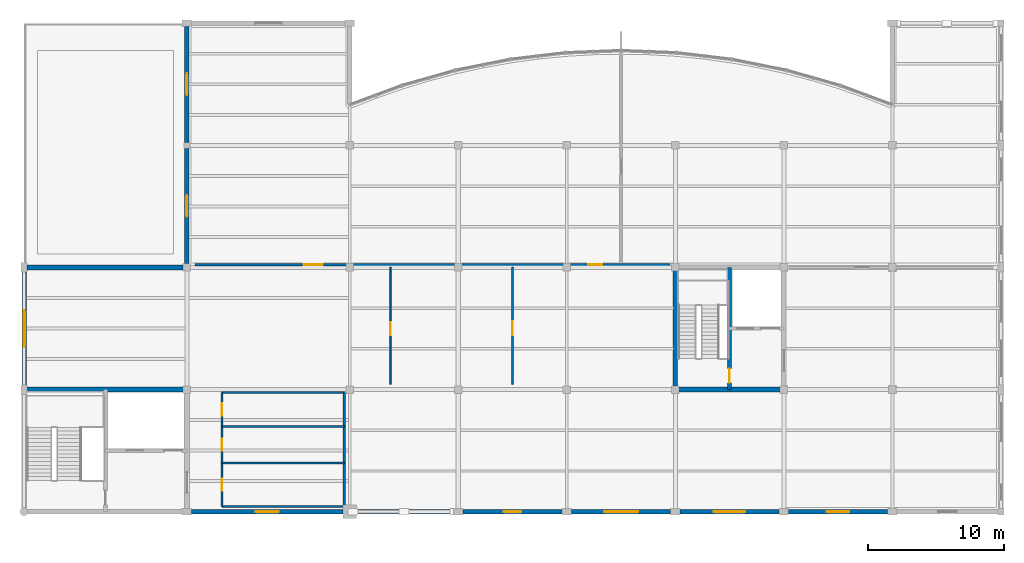
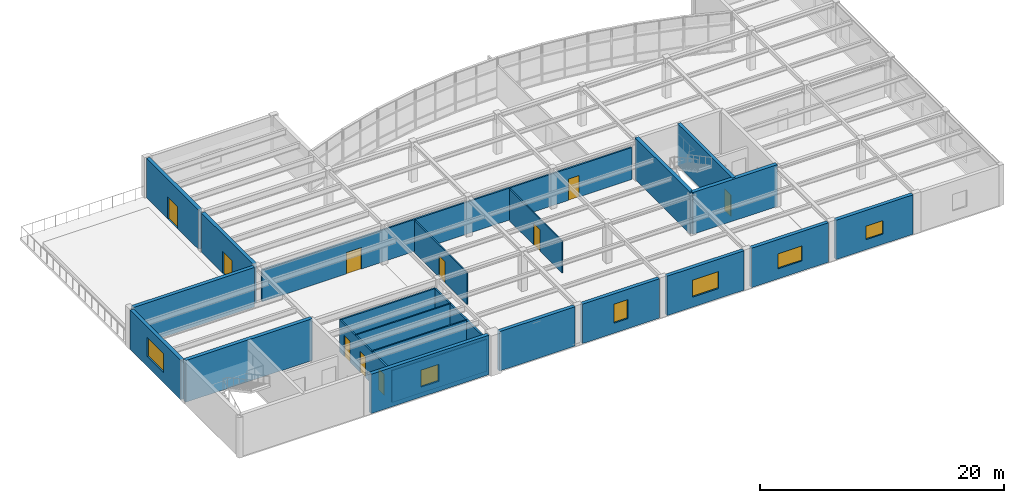
# One storey, part 7 of 12: 23 walls, 10 doors, 6 windows, 16 openings.
"""IFC4 building model written with IfcOpenShell, lengths in metres."""

from ifc_helpers import new_model, si_unit, direction, frame, frame_2d, origin, place, context, subcontext, project, spatial, rectangle, extrude, material, layer, layer_set, type_object, element, fill, save


model = new_model("IFC4")

# Units and contexts
model_context = context("Model", 3, precision=1e-05, world=origin(), true_north=direction((0.0, 1.0)))
body_context = subcontext(model_context, "Body", "Model", "MODEL_VIEW")
ifc_project = project(units=[si_unit("LENGTHUNIT", "METRE"), si_unit("AREAUNIT", "SQUARE_METRE"), si_unit("VOLUMEUNIT", "CUBIC_METRE"), si_unit("PLANEANGLEUNIT", "RADIAN"), si_unit("MASSUNIT", "GRAM", prefix="KILO")], contexts=[model_context])

# Site, building, storey
site_placement = place(None, origin())
site = spatial("IfcSite", under=ifc_project, at=site_placement, CompositionType="ELEMENT")
building_placement = place(site_placement, origin())
building = spatial("IfcBuilding", under=site, at=building_placement, Name="Keelwater Ferry Terminal", CompositionType="ELEMENT")
storey_placement = place(building_placement, frame((0.0, 0.0, 19.5)))
storey = spatial("IfcBuildingStorey", under=building, at=storey_placement, Name="L04", CompositionType="ELEMENT", Elevation=19.5)

# Wall, opening, window
ifc_material_1 = material(Name="Precast concrete C40/50", Category="concrete")
ifc_layer_1 = layer(ifc_material_1, 0.340087890625)
ifc_layer_set_1 = layer_set([ifc_layer_1], Name="Precast concrete C40/50")
wall_type_1 = type_object("IfcWallType", Name="EW-LM340 External Solid Wall 340", PredefinedType="SOLIDWALL", material=ifc_layer_set_1)
wall_1_placement = place(storey_placement, frame((131.5, 90.0, 0.0), z_axis=(0.0, 0.0, 1.0), x_axis=(-1.0, 0.0, 0.0)))
wall_1 = element("IfcWall", 1, at=wall_1_placement, inside=storey, type_object=wall_type_1, Name="External Wall WL-L04-0127", PredefinedType="SOLIDWALL", context=body_context, shape_type="SweptSolid", body=[
    extrude(rectangle(XDim=11.14990234375, YDim=0.340087890625, at=frame_2d((5.574951171875, 0.0))), origin(), (0.0, 0.0, 1.0), 3.93994140625),
])
opening_1_placement = place(wall_1_placement, frame((4.72509765625, 0.0, 1.0)))
opening_1 = element("IfcOpeningElement", 2, at=opening_1_placement, cuts=wall_1, Name="Opening WN-25", PredefinedType="OPENING", context=body_context, shape_type="SweptSolid", body=[
    extrude(rectangle(XDim=1.699951171875, YDim=1.699951171875, at=frame_2d((0.85009765625, 0.85009765625))), frame((0.0, 0.179931640625, 0.0), z_axis=(0.0, -1.0, 0.0), x_axis=(1.0, 0.0, 0.0)), (0.0, 0.0, 1.0), 0.360107421875),
])
ifc_material_2 = material(Name="Triple low-E glass in thermally broken aluminium frame", Category="aluminium")
window_type_1 = type_object("IfcWindowType", Name="WN-25 Exterior Window 1700x1700", PartitioningType="SINGLE_PANEL", PredefinedType="WINDOW", material=ifc_material_2)
window_1_placement = place(opening_1_placement, origin())
window_1 = element("IfcWindow", 3, at=window_1_placement, inside=storey, type_object=window_type_1, Name="Window WN-L04-0092", OverallHeight=1.699951171875, OverallWidth=1.699951171875, PartitioningType="SINGLE_PANEL", PredefinedType="WINDOW", context=body_context, shape_type="SweptSolid", body=[
    extrude(rectangle(XDim=1.699951171875, YDim=1.699951171875, at=frame_2d((0.85009765625, 0.85009765625))), frame((0.0, 0.030029296875, 0.0), z_axis=(0.0, -1.0, 0.0), x_axis=(1.0, 0.0, 0.0)), (0.0, 0.0, 1.0), 0.06005859375),
])
fill(opening_1, window_1)

# Wall
wall_2_placement = place(storey_placement, frame((139.64990234375, 90.0, 0.0), z_axis=(0.0, 0.0, 1.0), x_axis=(-1.0, 0.0, 0.0)))
element("IfcWall", 4, at=wall_2_placement, inside=storey, type_object=wall_type_1, Name="External Wall WL-L04-0128", PredefinedType="SOLIDWALL", context=body_context, shape_type="SweptSolid", body=[
    extrude(rectangle(XDim=7.14990234375, YDim=0.340087890625, at=frame_2d((3.574951171875, 0.0))), origin(), (0.0, 0.0, 1.0), 3.93994140625),
])

# Wall, opening, window
wall_3_placement = place(storey_placement, frame((147.64990234375, 90.0, 0.0), z_axis=(0.0, 0.0, 1.0), x_axis=(-1.0, 0.0, 0.0)))
wall_3 = element("IfcWall", 5, at=wall_3_placement, inside=storey, type_object=wall_type_1, Name="External Wall WL-L04-0129", PredefinedType="SOLIDWALL", context=body_context, shape_type="SweptSolid", body=[
    extrude(rectangle(XDim=7.2998046875, YDim=0.340087890625, at=frame_2d((3.64990234375, 0.0))), origin(), (0.0, 0.0, 1.0), 3.93994140625),
])
opening_2_placement = place(wall_3_placement, frame((3.0, 0.0, 1.0)))
opening_2 = element("IfcOpeningElement", 6, at=opening_2_placement, cuts=wall_3, Name="Opening WN-26", PredefinedType="OPENING", context=body_context, shape_type="SweptSolid", body=[
    extrude(rectangle(XDim=1.300048828125, YDim=1.89990234375, at=frame_2d((0.64990234375, 0.949951171875))), frame((0.0, 0.179931640625, 0.0), z_axis=(0.0, -1.0, 0.0), x_axis=(1.0, 0.0, 0.0)), (0.0, 0.0, 1.0), 0.360107421875),
])
ifc_material_3 = material(Name="Triple low-E glass in thermally broken aluminium frame", Category="aluminium")
window_type_2 = type_object("IfcWindowType", Name="WN-26 Exterior Window 1300x1900", PartitioningType="SINGLE_PANEL", PredefinedType="WINDOW", material=ifc_material_3)
window_2_placement = place(opening_2_placement, origin())
window_2 = element("IfcWindow", 7, at=window_2_placement, inside=storey, type_object=window_type_2, Name="Window WN-L04-0093", OverallHeight=1.89990234375, OverallWidth=1.300048828125, PartitioningType="SINGLE_PANEL", PredefinedType="WINDOW", context=body_context, shape_type="SweptSolid", body=[
    extrude(rectangle(XDim=1.300048828125, YDim=1.89990234375, at=frame_2d((0.64990234375, 0.949951171875))), frame((0.0, 0.030029296875, 0.0), z_axis=(0.0, -1.0, 0.0), x_axis=(1.0, 0.0, 0.0)), (0.0, 0.0, 1.0), 0.06005859375),
])
fill(opening_2, window_2)

wall_4_placement = place(storey_placement, frame((155.64990234375, 90.0, 0.0), z_axis=(0.0, 0.0, 1.0), x_axis=(-1.0, 0.0, 0.0)))
wall_4 = element("IfcWall", 8, at=wall_4_placement, inside=storey, type_object=wall_type_1, Name="External Wall WL-L04-0130", PredefinedType="SOLIDWALL", context=body_context, shape_type="SweptSolid", body=[
    extrude(rectangle(XDim=7.2998046875, YDim=0.340087890625, at=frame_2d((3.64990234375, 0.0))), origin(), (0.0, 0.0, 1.0), 3.93994140625),
])
opening_3_placement = place(wall_4_placement, frame((2.39990234375, 0.0, 1.0)))
opening_3 = element("IfcOpeningElement", 9, at=opening_3_placement, cuts=wall_4, Name="Opening WN-27", PredefinedType="OPENING", context=body_context, shape_type="SweptSolid", body=[
    extrude(rectangle(XDim=2.5, YDim=1.699951171875, at=frame_2d((1.25, 0.85009765625))), frame((0.0, 0.179931640625, 0.0), z_axis=(0.0, -1.0, 0.0), x_axis=(1.0, 0.0, 0.0)), (0.0, 0.0, 1.0), 0.360107421875),
])
ifc_material_4 = material(Name="Triple low-E glass in thermally broken aluminium frame", Category="aluminium")
window_type_3 = type_object("IfcWindowType", Name="WN-27 Exterior Window 2500x1700", PartitioningType="SINGLE_PANEL", PredefinedType="WINDOW", material=ifc_material_4)
window_3_placement = place(opening_3_placement, origin())
window_3 = element("IfcWindow", 10, at=window_3_placement, inside=storey, type_object=window_type_3, Name="Window WN-L04-0094", OverallHeight=1.699951171875, OverallWidth=2.5, PartitioningType="SINGLE_PANEL", PredefinedType="WINDOW", context=body_context, shape_type="SweptSolid", body=[
    extrude(rectangle(XDim=2.5, YDim=1.699951171875, at=frame_2d((1.25, 0.85009765625))), frame((0.0, 0.030029296875, 0.0), z_axis=(0.0, -1.0, 0.0), x_axis=(1.0, 0.0, 0.0)), (0.0, 0.0, 1.0), 0.06005859375),
])
fill(opening_3, window_3)

wall_5_placement = place(storey_placement, frame((163.64990234375, 90.0, 0.0), z_axis=(0.0, 0.0, 1.0), x_axis=(-1.0, 0.0, 0.0)))
wall_5 = element("IfcWall", 11, at=wall_5_placement, inside=storey, type_object=wall_type_1, Name="External Wall WL-L04-0131", PredefinedType="SOLIDWALL", context=body_context, shape_type="SweptSolid", body=[
    extrude(rectangle(XDim=7.2998046875, YDim=0.340087890625, at=frame_2d((3.64990234375, 0.0))), origin(), (0.0, 0.0, 1.0), 3.93994140625),
])
opening_4_placement = place(wall_5_placement, frame((2.5, 0.0, 1.0)))
opening_4 = element("IfcOpeningElement", 12, at=opening_4_placement, cuts=wall_5, Name="Opening WN-28", PredefinedType="OPENING", context=body_context, shape_type="SweptSolid", body=[
    extrude(rectangle(XDim=2.300048828125, YDim=1.5, at=frame_2d((1.14990234375, 0.75))), frame((0.0, 0.179931640625, 0.0), z_axis=(0.0, -1.0, 0.0), x_axis=(1.0, 0.0, 0.0)), (0.0, 0.0, 1.0), 0.360107421875),
])
ifc_material_5 = material(Name="Triple low-E glass in thermally broken aluminium frame", Category="aluminium")
window_type_4 = type_object("IfcWindowType", Name="WN-28 Exterior Window 2300x1500", PartitioningType="SINGLE_PANEL", PredefinedType="WINDOW", material=ifc_material_5)
window_4_placement = place(opening_4_placement, origin())
window_4 = element("IfcWindow", 13, at=window_4_placement, inside=storey, type_object=window_type_4, Name="Window WN-L04-0095", OverallHeight=1.5, OverallWidth=2.300048828125, PartitioningType="SINGLE_PANEL", PredefinedType="WINDOW", context=body_context, shape_type="SweptSolid", body=[
    extrude(rectangle(XDim=2.300048828125, YDim=1.5, at=frame_2d((1.14990234375, 0.75))), frame((0.0, 0.030029296875, 0.0), z_axis=(0.0, -1.0, 0.0), x_axis=(1.0, 0.0, 0.0)), (0.0, 0.0, 1.0), 0.06005859375),
])
fill(opening_4, window_4)

wall_6_placement = place(storey_placement, frame((171.64990234375, 90.0, 0.0), z_axis=(0.0, 0.0, 1.0), x_axis=(-1.0, 0.0, 0.0)))
wall_6 = element("IfcWall", 14, at=wall_6_placement, inside=storey, type_object=wall_type_1, Name="External Wall WL-L04-0132", PredefinedType="SOLIDWALL", context=body_context, shape_type="SweptSolid", body=[
    extrude(rectangle(XDim=7.2998046875, YDim=0.340087890625, at=frame_2d((3.64990234375, 0.0))), origin(), (0.0, 0.0, 1.0), 3.93994140625),
])
opening_5_placement = place(wall_6_placement, frame((2.824951171875, 0.0, 1.0)))
opening_5 = element("IfcOpeningElement", 15, at=opening_5_placement, cuts=wall_6, Name="Opening WN-29", PredefinedType="OPENING", context=body_context, shape_type="SweptSolid", body=[
    extrude(rectangle(XDim=1.64990234375, YDim=1.35009765625, at=frame_2d((0.824951171875, 0.675048828125))), frame((0.0, 0.179931640625, 0.0), z_axis=(0.0, -1.0, 0.0), x_axis=(1.0, 0.0, 0.0)), (0.0, 0.0, 1.0), 0.360107421875),
])
ifc_material_6 = material(Name="Triple low-E glass in thermally broken aluminium frame", Category="aluminium")
window_type_5 = type_object("IfcWindowType", Name="WN-29 Exterior Window 1650x1350", PartitioningType="SINGLE_PANEL", PredefinedType="WINDOW", material=ifc_material_6)
window_5_placement = place(opening_5_placement, origin())
window_5 = element("IfcWindow", 16, at=window_5_placement, inside=storey, type_object=window_type_5, Name="Window WN-L04-0096", OverallHeight=1.35009765625, OverallWidth=1.64990234375, PartitioningType="SINGLE_PANEL", PredefinedType="WINDOW", context=body_context, shape_type="SweptSolid", body=[
    extrude(rectangle(XDim=1.64990234375, YDim=1.35009765625, at=frame_2d((0.824951171875, 0.675048828125))), frame((0.0, 0.030029296875, 0.0), z_axis=(0.0, -1.0, 0.0), x_axis=(1.0, 0.0, 0.0)), (0.0, 0.0, 1.0), 0.06005859375),
])
fill(opening_5, window_5)

wall_7_placement = place(storey_placement, frame((108.0, 107.64990234375, 0.0), z_axis=(0.0, 0.0, 1.0), x_axis=(0.0, -1.0, 0.0)))
wall_7 = element("IfcWall", 17, at=wall_7_placement, inside=storey, type_object=wall_type_1, Name="External Wall WL-L04-0134", PredefinedType="SOLIDWALL", context=body_context, shape_type="SweptSolid", body=[
    extrude(rectangle(XDim=8.2998046875, YDim=0.340087890625, at=frame_2d((4.14990234375, 0.0))), origin(), (0.0, 0.0, 1.0), 3.93994140625),
])
opening_6_placement = place(wall_7_placement, frame((2.800048828125, 0.0, 1.0)))
opening_6 = element("IfcOpeningElement", 18, at=opening_6_placement, cuts=wall_7, Name="Opening WN-31", PredefinedType="OPENING", context=body_context, shape_type="SweptSolid", body=[
    extrude(rectangle(XDim=2.699951171875, YDim=1.89990234375, at=frame_2d((1.35009765625, 0.949951171875))), frame((0.0, 0.179931640625, 0.0), z_axis=(0.0, -1.0, 0.0), x_axis=(1.0, 0.0, 0.0)), (0.0, 0.0, 1.0), 0.360107421875),
])
ifc_material_7 = material(Name="Triple low-E glass in thermally broken aluminium frame", Category="aluminium")
window_type_6 = type_object("IfcWindowType", Name="WN-31 Exterior Window 2700x1900", PartitioningType="SINGLE_PANEL", PredefinedType="WINDOW", material=ifc_material_7)
window_6_placement = place(opening_6_placement, origin())
window_6 = element("IfcWindow", 19, at=window_6_placement, inside=storey, type_object=window_type_6, Name="Window WN-L04-0098", OverallHeight=1.89990234375, OverallWidth=2.699951171875, PartitioningType="SINGLE_PANEL", PredefinedType="WINDOW", context=body_context, shape_type="SweptSolid", body=[
    extrude(rectangle(XDim=2.699951171875, YDim=1.89990234375, at=frame_2d((1.35009765625, 0.949951171875))), frame((0.0, 0.030029296875, 0.0), z_axis=(0.0, -1.0, 0.0), x_axis=(1.0, 0.0, 0.0)), (0.0, 0.0, 1.0), 0.06005859375),
])
fill(opening_6, window_6)

# Wall, opening, door
wall_8_placement = place(storey_placement, frame((120.0, 116.77490234375, 0.0), z_axis=(0.0, 0.0, 1.0), x_axis=(0.0, -1.0, 0.0)))
wall_8 = element("IfcWall", 20, at=wall_8_placement, inside=storey, type_object=wall_type_1, Name="External Wall WL-L04-0135", PredefinedType="SOLIDWALL", context=body_context, shape_type="SweptSolid", body=[
    extrude(rectangle(XDim=8.5, YDim=0.340087890625, at=frame_2d((4.25, 0.0))), origin(), (0.0, 0.0, 1.0), 3.93994140625),
])
opening_7_placement = place(wall_8_placement, frame((3.449951171875, 0.0, 0.0)))
opening_7 = element("IfcOpeningElement", 21, at=opening_7_placement, cuts=wall_8, Name="Opening TD-10", PredefinedType="OPENING", context=body_context, shape_type="SweptSolid", body=[
    extrude(rectangle(XDim=1.60009765625, YDim=2.199951171875, at=frame_2d((0.800048828125, 1.10009765625))), frame((0.0, 0.179931640625, 0.0), z_axis=(0.0, -1.0, 0.0), x_axis=(1.0, 0.0, 0.0)), (0.0, 0.0, 1.0), 0.360107421875),
])
ifc_material_8 = material(Name="Anodised aluminium and laminated safety glass", Category="aluminium")
door_type_1 = type_object("IfcDoorType", Name="TD-T2 Pedestrian Door 1600x2200", OperationType="DOUBLE_DOOR_SINGLE_SWING", PredefinedType="DOOR", material=ifc_material_8)
door_1_placement = place(opening_7_placement, origin())
door_1 = element("IfcDoor", 22, at=door_1_placement, inside=storey, type_object=door_type_1, Name="Door TD-10", OperationType="DOUBLE_DOOR_SINGLE_SWING", OverallHeight=2.199951171875, OverallWidth=1.60009765625, PredefinedType="DOOR", context=body_context, shape_type="SweptSolid", body=[
    extrude(rectangle(XDim=1.60009765625, YDim=2.199951171875, at=frame_2d((0.800048828125, 1.10009765625))), frame((0.0, 0.02490234375, 0.0), z_axis=(0.0, -1.0, 0.0), x_axis=(1.0, 0.0, 0.0)), (0.0, 0.0, 1.0), 0.050048828125),
])
fill(opening_7, door_1)

wall_9_placement = place(storey_placement, frame((120.0, 125.77490234375, 0.0), z_axis=(0.0, 0.0, 1.0), x_axis=(0.0, -1.0, 0.0)))
wall_9 = element("IfcWall", 23, at=wall_9_placement, inside=storey, type_object=wall_type_1, Name="External Wall WL-L04-0136", PredefinedType="SOLIDWALL", context=body_context, shape_type="SweptSolid", body=[
    extrude(rectangle(XDim=8.5498046875, YDim=0.340087890625, at=frame_2d((4.27490234375, 0.0))), origin(), (0.0, 0.0, 1.0), 3.93994140625),
])
opening_8_placement = place(wall_9_placement, frame((3.47509765625, 0.0, 0.0)))
opening_8 = element("IfcOpeningElement", 24, at=opening_8_placement, cuts=wall_9, Name="Opening TD-11", PredefinedType="OPENING", context=body_context, shape_type="SweptSolid", body=[
    extrude(rectangle(XDim=1.60009765625, YDim=2.199951171875, at=frame_2d((0.800048828125, 1.10009765625))), frame((0.0, 0.179931640625, 0.0), z_axis=(0.0, -1.0, 0.0), x_axis=(1.0, 0.0, 0.0)), (0.0, 0.0, 1.0), 0.360107421875),
])
door_2_placement = place(opening_8_placement, origin())
door_2 = element("IfcDoor", 25, at=door_2_placement, inside=storey, type_object=door_type_1, Name="Door TD-11", OperationType="DOUBLE_DOOR_SINGLE_SWING", OverallHeight=2.199951171875, OverallWidth=1.60009765625, PredefinedType="DOOR", context=body_context, shape_type="SweptSolid", body=[
    extrude(rectangle(XDim=1.60009765625, YDim=2.199951171875, at=frame_2d((0.800048828125, 1.10009765625))), frame((0.0, 0.02490234375, 0.0), z_axis=(0.0, -1.0, 0.0), x_axis=(1.0, 0.0, 0.0)), (0.0, 0.0, 1.0), 0.050048828125),
])
fill(opening_8, door_2)

# Walls
wall_10_placement = place(storey_placement, frame((108.22509765625, 108.0, 0.0), z_axis=(0.0, 0.0, 1.0), x_axis=(1.0, 0.0, 0.0)))
element("IfcWall", 26, at=wall_10_placement, inside=storey, type_object=wall_type_1, Name="External Wall WL-L04-0137", PredefinedType="SOLIDWALL", context=body_context, shape_type="SweptSolid", body=[
    extrude(rectangle(XDim=11.5, YDim=0.340087890625, at=frame_2d((5.75, 0.0))), origin(), (0.0, 0.0, 1.0), 3.93994140625),
])
ifc_material_9 = material(Name="Gypsum board on acoustic steel stud", Category="steel")
ifc_layer_2 = layer(ifc_material_9, 0.125)
ifc_layer_set_2 = layer_set([ifc_layer_2], Name="Gypsum board on acoustic steel stud")
wall_type_2 = type_object("IfcWallType", Name="PT-125 Partition Wall 125", PredefinedType="PARTITIONING", material=ifc_layer_set_2)
for number, where, z_axis, x_axis, name in (
    (27, (122.60009765625, 93.592041015625, 0.0), (0.0, 0.0, 1.0), (1.0, 0.0, 0.0), "Interior Wall WL-INT-L04-0194"),
    (28, (122.60009765625, 96.280029296875, 0.0), (0.0, 0.0, 1.0), (1.0, 0.0, 0.0), "Interior Wall WL-INT-L04-0195"),
):
    element("IfcWall", number, at=place(storey_placement, frame(where, z_axis=z_axis, x_axis=x_axis)), inside=storey, type_object=wall_type_2, Name=name, PredefinedType="PARTITIONING", context=body_context, shape_type="SweptSolid", body=[
        extrude(rectangle(XDim=9.0, YDim=0.125, at=frame_2d((4.5, 0.0))), origin(), (0.0, 0.0, 1.0), 3.199951171875),
    ])

# Wall, opening, door
wall_11_placement = place(storey_placement, frame((135.0, 99.39990234375, 0.0), z_axis=(0.0, 0.0, 1.0), x_axis=(0.0, 1.0, 0.0)))
wall_11 = element("IfcWall", 29, at=wall_11_placement, inside=storey, type_object=wall_type_2, Name="Interior Wall WL-INT-L04-0269", PredefinedType="PARTITIONING", context=body_context, shape_type="SweptSolid", body=[
    extrude(rectangle(XDim=8.60009765625, YDim=0.125, at=frame_2d((4.300048828125, 0.0))), origin(), (0.0, 0.0, 1.0), 3.199951171875),
])
opening_9_placement = place(wall_11_placement, frame((3.60009765625, 0.0, 0.0)))
opening_9 = element("IfcOpeningElement", 30, at=opening_9_placement, cuts=wall_11, Name="Opening DR-051", PredefinedType="OPENING", context=body_context, shape_type="SweptSolid", body=[
    extrude(rectangle(XDim=0.949951171875, YDim=2.10009765625, at=frame_2d((0.47509765625, 1.050048828125))), frame((0.0, 0.072509765625, 0.0), z_axis=(0.0, -1.0, 0.0), x_axis=(1.0, 0.0, 0.0)), (0.0, 0.0, 1.0), 0.14501953125),
])
ifc_material_10 = material(Name="Acoustic oak and fire-rated steel frame door", Category="steel")
door_type_2 = type_object("IfcDoorType", Name="ID-08 Pedestrian Door 950x2100", OperationType="NOTDEFINED", PredefinedType="DOOR", material=ifc_material_10)
door_3_placement = place(opening_9_placement, origin())
door_3 = element("IfcDoor", 31, at=door_3_placement, inside=storey, type_object=door_type_2, Name="Door DR-051", OperationType="SINGLE_SWING_RIGHT", OverallHeight=2.10009765625, OverallWidth=0.949951171875, PredefinedType="DOOR", context=body_context, shape_type="SweptSolid", body=[
    extrude(rectangle(XDim=0.949951171875, YDim=2.10009765625, at=frame_2d((0.47509765625, 1.050048828125))), frame((0.0, 0.02490234375, 0.0), z_axis=(0.0, -1.0, 0.0), x_axis=(1.0, 0.0, 0.0)), (0.0, 0.0, 1.0), 0.050048828125),
])
fill(opening_9, door_3)

wall_12_placement = place(storey_placement, frame((144.0, 99.39990234375, 0.0), z_axis=(0.0, 0.0, 1.0), x_axis=(0.0, 1.0, 0.0)))
wall_12 = element("IfcWall", 32, at=wall_12_placement, inside=storey, type_object=wall_type_2, Name="Interior Wall WL-INT-L04-0270", PredefinedType="PARTITIONING", context=body_context, shape_type="SweptSolid", body=[
    extrude(rectangle(XDim=8.60009765625, YDim=0.125, at=frame_2d((4.300048828125, 0.0))), origin(), (0.0, 0.0, 1.0), 3.199951171875),
])
opening_10_placement = place(wall_12_placement, frame((3.60009765625, 0.0, 0.0)))
opening_10 = element("IfcOpeningElement", 33, at=opening_10_placement, cuts=wall_12, Name="Opening DR-052", PredefinedType="OPENING", context=body_context, shape_type="SweptSolid", body=[
    extrude(rectangle(XDim=1.050048828125, YDim=2.14990234375, at=frame_2d((0.52490234375, 1.074951171875))), frame((0.0, 0.072509765625, 0.0), z_axis=(0.0, -1.0, 0.0), x_axis=(1.0, 0.0, 0.0)), (0.0, 0.0, 1.0), 0.14501953125),
])
ifc_material_11 = material(Name="Acoustic oak and fire-rated steel frame door", Category="steel")
door_type_3 = type_object("IfcDoorType", Name="ID-06 Pedestrian Door 1050x2150", OperationType="NOTDEFINED", PredefinedType="DOOR", material=ifc_material_11)
door_4_placement = place(opening_10_placement, origin())
door_4 = element("IfcDoor", 34, at=door_4_placement, inside=storey, type_object=door_type_3, Name="Door DR-052", OperationType="SINGLE_SWING_LEFT", OverallHeight=2.14990234375, OverallWidth=1.050048828125, PredefinedType="DOOR", context=body_context, shape_type="SweptSolid", body=[
    extrude(rectangle(XDim=1.050048828125, YDim=2.14990234375, at=frame_2d((0.52490234375, 1.074951171875))), frame((0.0, 0.02490234375, 0.0), z_axis=(0.0, -1.0, 0.0), x_axis=(1.0, 0.0, 0.0)), (0.0, 0.0, 1.0), 0.050048828125),
])
fill(opening_10, door_4)

# Wall, openings, doors
ifc_material_12 = material(Name="Gypsum board on acoustic steel stud", Category="steel")
ifc_layer_3 = layer(ifc_material_12, 0.14990234375)
ifc_layer_set_3 = layer_set([ifc_layer_3], Name="Gypsum board on acoustic steel stud")
wall_type_3 = type_object("IfcWallType", Name="PT-150 Partition Wall 150", PredefinedType="PARTITIONING", material=ifc_layer_set_3)
wall_13_placement = place(storey_placement, frame((122.60009765625, 90.39990234375, 0.0), z_axis=(0.0, 0.0, 1.0), x_axis=(0.0, 1.0, 0.0)))
wall_13 = element("IfcWall", 35, at=wall_13_placement, inside=storey, type_object=wall_type_3, Name="Interior Wall WL-INT-L04-0190", PredefinedType="PARTITIONING", context=body_context, shape_type="SweptSolid", body=[
    extrude(rectangle(XDim=8.400146484375, YDim=0.14990234375, at=frame_2d((4.2001953125, 0.0))), origin(), (0.0, 0.0, 1.0), 3.199951171875),
])
opening_11_placement = place(wall_13_placement, frame((1.14599609375, 0.0, 0.0)))
opening_11 = element("IfcOpeningElement", 36, at=opening_11_placement, cuts=wall_13, Name="Opening WD-022", PredefinedType="OPENING", context=body_context, shape_type="SweptSolid", body=[
    extrude(rectangle(XDim=0.89990234375, YDim=2.10009765625, at=frame_2d((0.449951171875, 1.050048828125))), frame((0.0, 0.0849609375, 0.0), z_axis=(0.0, -1.0, 0.0), x_axis=(1.0, 0.0, 0.0)), (0.0, 0.0, 1.0), 0.169921875),
])
opening_12_placement = place(wall_13_placement, frame((4.0859375, 0.0, 0.0)))
opening_12 = element("IfcOpeningElement", 37, at=opening_12_placement, cuts=wall_13, Name="Opening WD-023", PredefinedType="OPENING", context=body_context, shape_type="SweptSolid", body=[
    extrude(rectangle(XDim=0.89990234375, YDim=2.10009765625, at=frame_2d((0.449951171875, 1.050048828125))), frame((0.0, 0.0849609375, 0.0), z_axis=(0.0, -1.0, 0.0), x_axis=(1.0, 0.0, 0.0)), (0.0, 0.0, 1.0), 0.169921875),
])
opening_13_placement = place(wall_13_placement, frame((6.679931640625, 0.0, 0.0)))
opening_13 = element("IfcOpeningElement", 38, at=opening_13_placement, cuts=wall_13, Name="Opening WD-024", PredefinedType="OPENING", context=body_context, shape_type="SweptSolid", body=[
    extrude(rectangle(XDim=0.919921875, YDim=2.10009765625, at=frame_2d((0.4599609375, 1.050048828125))), frame((0.0, 0.0849609375, 0.0), z_axis=(0.0, -1.0, 0.0), x_axis=(1.0, 0.0, 0.0)), (0.0, 0.0, 1.0), 0.169921875),
])
ifc_material_13 = material(Name="Acoustic oak and fire-rated steel frame door", Category="steel")
door_type_4 = type_object("IfcDoorType", Name="ID-09 Pedestrian Door 920x2100", OperationType="NOTDEFINED", PredefinedType="DOOR", material=ifc_material_13)
door_5_placement = place(opening_13_placement, origin())
door_5 = element("IfcDoor", 39, at=door_5_placement, inside=storey, type_object=door_type_4, Name="Door WD-024", OperationType="SINGLE_SWING_RIGHT", OverallHeight=2.10009765625, OverallWidth=0.919921875, PredefinedType="DOOR", context=body_context, shape_type="SweptSolid", body=[
    extrude(rectangle(XDim=0.919921875, YDim=2.10009765625, at=frame_2d((0.4599609375, 1.050048828125))), frame((0.0, 0.02490234375, 0.0), z_axis=(0.0, -1.0, 0.0), x_axis=(1.0, 0.0, 0.0)), (0.0, 0.0, 1.0), 0.050048828125),
])
fill(opening_13, door_5)
ifc_material_14 = material(Name="Acoustic oak and fire-rated steel frame door", Category="steel")
door_type_5 = type_object("IfcDoorType", Name="ID-10 Pedestrian Door 900x2100", OperationType="NOTDEFINED", PredefinedType="DOOR", material=ifc_material_14)
door_6_placement = place(opening_11_placement, origin())
door_6 = element("IfcDoor", 40, at=door_6_placement, inside=storey, type_object=door_type_5, Name="Door WD-022", OperationType="SINGLE_SWING_RIGHT", OverallHeight=2.10009765625, OverallWidth=0.89990234375, PredefinedType="DOOR", context=body_context, shape_type="SweptSolid", body=[
    extrude(rectangle(XDim=0.89990234375, YDim=2.10009765625, at=frame_2d((0.449951171875, 1.050048828125))), frame((0.0, 0.02490234375, 0.0), z_axis=(0.0, -1.0, 0.0), x_axis=(1.0, 0.0, 0.0)), (0.0, 0.0, 1.0), 0.050048828125),
])
fill(opening_11, door_6)
door_7_placement = place(opening_12_placement, origin())
door_7 = element("IfcDoor", 41, at=door_7_placement, inside=storey, type_object=door_type_5, Name="Door WD-023", OperationType="SINGLE_SWING_LEFT", OverallHeight=2.10009765625, OverallWidth=0.89990234375, PredefinedType="DOOR", context=body_context, shape_type="SweptSolid", body=[
    extrude(rectangle(XDim=0.89990234375, YDim=2.10009765625, at=frame_2d((0.449951171875, 1.050048828125))), frame((0.0, 0.02490234375, 0.0), z_axis=(0.0, -1.0, 0.0), x_axis=(1.0, 0.0, 0.0)), (0.0, 0.0, 1.0), 0.050048828125),
])
fill(opening_12, door_7)

# Walls
wall_14_placement = place(storey_placement, frame((131.60009765625, 90.39990234375, 0.0), z_axis=(0.0, 0.0, 1.0), x_axis=(0.0, 1.0, 0.0)))
element("IfcWall", 42, at=wall_14_placement, inside=storey, type_object=wall_type_3, Name="Interior Wall WL-INT-L04-0191", PredefinedType="PARTITIONING", context=body_context, shape_type="SweptSolid", body=[
    extrude(rectangle(XDim=8.400146484375, YDim=0.14990234375, at=frame_2d((4.2001953125, 0.0))), origin(), (0.0, 0.0, 1.0), 3.199951171875),
])
for number, where, z_axis, x_axis, name in (
    (43, (122.60009765625, 98.800048828125, 0.0), (0.0, 0.0, 1.0), (1.0, 0.0, 0.0), "Interior Wall WL-INT-L04-0192"),
    (44, (122.60009765625, 90.39990234375, 0.0), (0.0, 0.0, 1.0), (1.0, 0.0, 0.0), "Interior Wall WL-INT-L04-0193"),
):
    element("IfcWall", number, at=place(storey_placement, frame(where, z_axis=z_axis, x_axis=x_axis)), inside=storey, type_object=wall_type_3, Name=name, PredefinedType="PARTITIONING", context=body_context, shape_type="SweptSolid", body=[
        extrude(rectangle(XDim=9.0, YDim=0.14990234375, at=frame_2d((4.5, 0.0))), origin(), (0.0, 0.0, 1.0), 3.199951171875),
    ])

# Wall, openings, doors
wall_15_placement = place(storey_placement, frame((120.60009765625, 108.199951171875, 0.0), z_axis=(0.0, 0.0, 1.0), x_axis=(1.0, 0.0, 0.0)))
wall_15 = element("IfcWall", 45, at=wall_15_placement, inside=storey, type_object=wall_type_3, Name="Interior Wall WL-INT-L04-0268", PredefinedType="PARTITIONING", context=body_context, shape_type="SweptSolid", body=[
    extrude(rectangle(XDim=35.0, YDim=0.14990234375, at=frame_2d((17.5, 0.0))), origin(), (0.0, 0.0, 1.0), 3.199951171875),
])
opening_14_placement = place(wall_15_placement, frame((8.0, 0.0, 0.0)))
opening_14 = element("IfcOpeningElement", 46, at=opening_14_placement, cuts=wall_15, Name="Opening DR-049", PredefinedType="OPENING", context=body_context, shape_type="SweptSolid", body=[
    extrude(rectangle(XDim=1.39990234375, YDim=2.14990234375, at=frame_2d((0.699951171875, 1.074951171875))), frame((0.0, 0.0849609375, 0.0), z_axis=(0.0, -1.0, 0.0), x_axis=(1.0, 0.0, 0.0)), (0.0, 0.0, 1.0), 0.169921875),
])
opening_15_placement = place(wall_15_placement, frame((29.0, 0.0, 0.0)))
opening_15 = element("IfcOpeningElement", 47, at=opening_15_placement, cuts=wall_15, Name="Opening DR-050", PredefinedType="OPENING", context=body_context, shape_type="SweptSolid", body=[
    extrude(rectangle(XDim=1.0, YDim=2.14990234375, at=frame_2d((0.5, 1.074951171875))), frame((0.0, 0.0849609375, 0.0), z_axis=(0.0, -1.0, 0.0), x_axis=(1.0, 0.0, 0.0)), (0.0, 0.0, 1.0), 0.169921875),
])
ifc_material_15 = material(Name="Acoustic oak and fire-rated steel frame door", Category="steel")
door_type_6 = type_object("IfcDoorType", Name="ID-03 Pedestrian Door 1400x2150", OperationType="DOUBLE_DOOR_SINGLE_SWING", PredefinedType="DOOR", material=ifc_material_15)
door_8_placement = place(opening_14_placement, origin())
door_8 = element("IfcDoor", 48, at=door_8_placement, inside=storey, type_object=door_type_6, Name="Door DR-049", OperationType="DOUBLE_DOOR_SINGLE_SWING", OverallHeight=2.14990234375, OverallWidth=1.39990234375, PredefinedType="DOOR", context=body_context, shape_type="SweptSolid", body=[
    extrude(rectangle(XDim=1.39990234375, YDim=2.14990234375, at=frame_2d((0.699951171875, 1.074951171875))), frame((0.0, 0.02490234375, 0.0), z_axis=(0.0, -1.0, 0.0), x_axis=(1.0, 0.0, 0.0)), (0.0, 0.0, 1.0), 0.050048828125),
])
fill(opening_14, door_8)
ifc_material_16 = material(Name="Acoustic oak and fire-rated steel frame door", Category="steel")
door_type_7 = type_object("IfcDoorType", Name="ID-07 Pedestrian Door 1000x2150", OperationType="NOTDEFINED", PredefinedType="DOOR", material=ifc_material_16)
door_9_placement = place(opening_15_placement, origin())
door_9 = element("IfcDoor", 49, at=door_9_placement, inside=storey, type_object=door_type_7, Name="Door DR-050", OperationType="SINGLE_SWING_LEFT", OverallHeight=2.14990234375, OverallWidth=1.0, PredefinedType="DOOR", context=body_context, shape_type="SweptSolid", body=[
    extrude(rectangle(XDim=1.0, YDim=2.14990234375, at=frame_2d((0.5, 1.074951171875))), frame((0.0, 0.02490234375, 0.0), z_axis=(0.0, -1.0, 0.0), x_axis=(1.0, 0.0, 0.0)), (0.0, 0.0, 1.0), 0.050048828125),
])
fill(opening_15, door_9)

# Wall, opening, door
ifc_material_17 = material(Name="Concrete C45/55", Category="concrete")
ifc_layer_4 = layer(ifc_material_17, 0.300048828125)
ifc_layer_set_4 = layer_set([ifc_layer_4], Name="Concrete C45/55")
wall_type_4 = type_object("IfcWallType", Name="SW-300 Shear Wall 300", PredefinedType="SHEAR", material=ifc_layer_set_4)
wall_16_placement = place(storey_placement, frame((160.0, 108.0, 0.0), z_axis=(0.0, 0.0, 1.0), x_axis=(0.0, -1.0, 0.0)))
wall_16 = element("IfcWall", 50, at=wall_16_placement, inside=storey, type_object=wall_type_4, Name="Interior Wall WL-INT-L04-0083", PredefinedType="SHEAR", context=body_context, shape_type="SweptSolid", body=[
    extrude(rectangle(XDim=9.0, YDim=0.300048828125, at=frame_2d((4.5, 0.0))), origin(), (0.0, 0.0, 1.0), 4.179931640625),
])
opening_16_placement = place(wall_16_placement, frame((7.449951171875, 0.0, 0.0)))
opening_16 = element("IfcOpeningElement", 51, at=opening_16_placement, cuts=wall_16, Name="Opening FD-027", PredefinedType="OPENING", context=body_context, shape_type="SweptSolid", body=[
    extrude(rectangle(XDim=1.050048828125, YDim=2.14990234375, at=frame_2d((0.52490234375, 1.074951171875))), frame((0.0, 0.159912109375, 0.0), z_axis=(0.0, -1.0, 0.0), x_axis=(1.0, 0.0, 0.0)), (0.0, 0.0, 1.0), 0.320068359375),
])
door_10_placement = place(opening_16_placement, origin())
door_10 = element("IfcDoor", 52, at=door_10_placement, inside=storey, type_object=door_type_3, Name="Door FD-027", OperationType="SINGLE_SWING_LEFT", OverallHeight=2.14990234375, OverallWidth=1.050048828125, PredefinedType="DOOR", context=body_context, shape_type="SweptSolid", body=[
    extrude(rectangle(XDim=1.050048828125, YDim=2.14990234375, at=frame_2d((0.52490234375, 1.074951171875))), frame((0.0, 0.02490234375, 0.0), z_axis=(0.0, -1.0, 0.0), x_axis=(1.0, 0.0, 0.0)), (0.0, 0.0, 1.0), 0.050048828125),
])
fill(opening_16, door_10)

# Walls
ifc_material_18 = material(Name="Concrete C45/55", Category="concrete")
ifc_layer_5 = layer(ifc_material_18, 0.35009765625)
ifc_layer_set_5 = layer_set([ifc_layer_5], Name="Concrete C45/55")
wall_type_5 = type_object("IfcWallType", Name="SW-350 Shear Wall 350", PredefinedType="SHEAR", material=ifc_layer_set_5)
wall_17_placement = place(storey_placement, frame((108.0, 99.0, 0.0), z_axis=(0.0, 0.0, 1.0), x_axis=(1.0, 0.0, 0.0)))
element("IfcWall", 53, at=wall_17_placement, inside=storey, type_object=wall_type_5, Name="Interior Wall WL-INT-L04-0044", PredefinedType="SHEAR", context=body_context, shape_type="SweptSolid", body=[
    extrude(rectangle(XDim=12.0, YDim=0.35009765625, at=frame_2d((6.0, 0.0))), origin(), (0.0, 0.0, 1.0), 4.179931640625),
])
wall_18_placement = place(storey_placement, frame((156.0, 99.0, 0.0), z_axis=(0.0, 0.0, 1.0), x_axis=(1.0, 0.0, 0.0)))
element("IfcWall", 54, at=wall_18_placement, inside=storey, type_object=wall_type_5, Name="Interior Wall WL-INT-L04-0079", PredefinedType="SHEAR", context=body_context, shape_type="SweptSolid", body=[
    extrude(rectangle(XDim=8.0, YDim=0.35009765625, at=frame_2d((4.0, 0.0))), origin(), (0.0, 0.0, 1.0), 4.179931640625),
])
wall_19_placement = place(storey_placement, frame((156.0, 99.0, 0.0), z_axis=(0.0, 0.0, 1.0), x_axis=(0.0, 1.0, 0.0)))
element("IfcWall", 55, at=wall_19_placement, inside=storey, type_object=wall_type_5, Name="Interior Wall WL-INT-L04-0081", PredefinedType="SHEAR", context=body_context, shape_type="SweptSolid", body=[
    extrude(rectangle(XDim=9.0, YDim=0.35009765625, at=frame_2d((4.5, 0.0))), origin(), (0.0, 0.0, 1.0), 4.179931640625),
])

save(model, "model.ifc")
